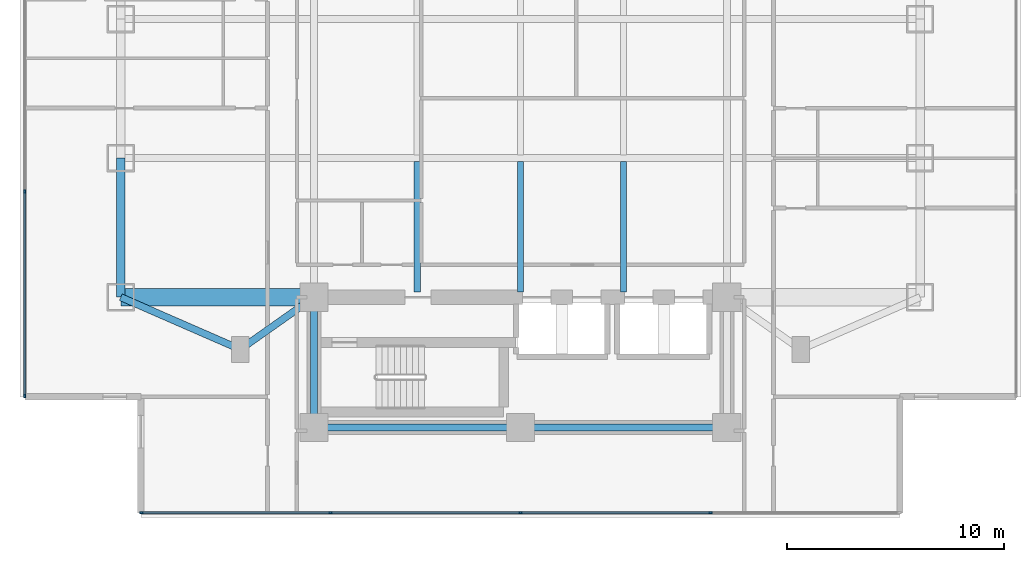
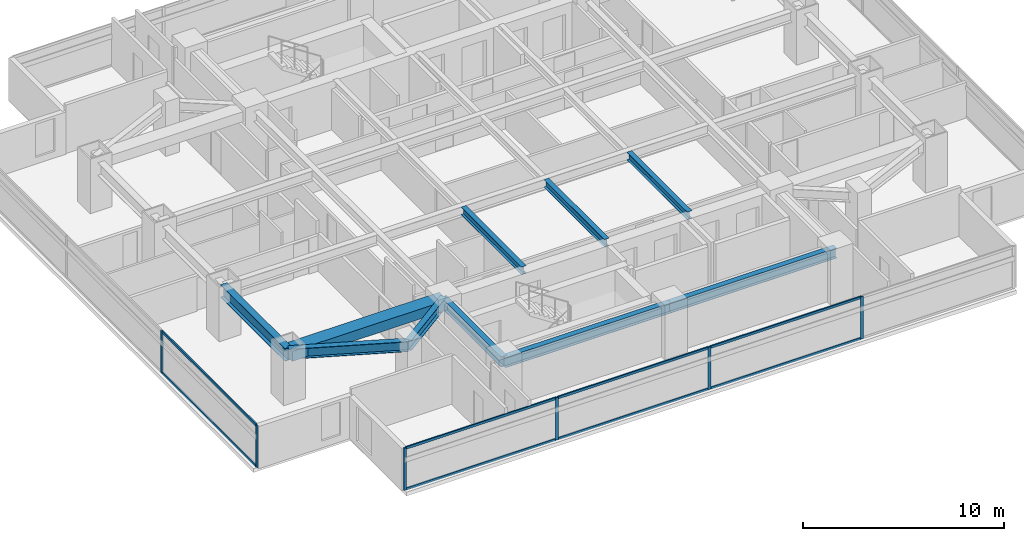
# One storey, part 2 of 26: 14 members, 10 beams, 2 elements without a shape of their own.
"""IFC4 building model written with IfcOpenShell, lengths in metres."""

from ifc_helpers import new_model, si_unit, direction, frame, origin, origin_2d, place, context, subcontext, project, spatial, rectangle, i_section, extrude, material, material_profile, profile_set, type_object, element, aggregate, save


model = new_model("IFC4")

# Units and contexts
model_context = context("Model", 3, precision=1e-05, world=origin(), true_north=direction((0.0, 1.0)))
body_context = subcontext(model_context, "Body", "Model", "MODEL_VIEW")
ifc_project = project(units=[si_unit("LENGTHUNIT", "METRE"), si_unit("AREAUNIT", "SQUARE_METRE"), si_unit("VOLUMEUNIT", "CUBIC_METRE"), si_unit("PLANEANGLEUNIT", "RADIAN"), si_unit("MASSUNIT", "GRAM", prefix="KILO")], contexts=[model_context])

# Site, building, storey
site_placement = place(None, origin())
site = spatial("IfcSite", under=ifc_project, at=site_placement, CompositionType="ELEMENT")
building_placement = place(site_placement, origin())
building = spatial("IfcBuilding", under=site, at=building_placement, Name="Mirazonda Arch Towers", CompositionType="ELEMENT")
storey_placement = place(building_placement, frame((0.0, 0.0, 78.5)))
storey = spatial("IfcBuildingStorey", under=building, at=storey_placement, Name="L22", CompositionType="ELEMENT", Elevation=78.5)

# Beams
ifc_material_1 = material(Name="Steel ASTM A992 Grade 50", Category="steel")
ifc_material_profile_1 = material_profile(ifc_material_1, i_section(OverallWidth=0.381103515625, OverallDepth=0.77294921875, WebThickness=0.0166015625, FlangeThickness=0.027099609375, at=origin_2d()), Name="W30X173")
ifc_profile_set_1 = profile_set([ifc_material_profile_1], Name="Steel ASTM A992 Grade 50")
beam_type_1 = type_object("IfcBeamType", Name="BM-EXT-W30X173", PredefinedType="USERDEFINED", material=ifc_profile_set_1)
beam_1_placement = place(storey_placement, frame((2.10009765625, 18.39990234375, 2.553466796875), z_axis=(0.0, 1.0, 0.0), x_axis=(-1.0, 0.0, 0.0)))
element("IfcBeam", 1, at=beam_1_placement, inside=storey, type_object=beam_type_1, Name="L22 Floor Beam BMT-T1-L22-NS-W-18", ObjectType="GIRDER", PredefinedType="USERDEFINED", context=body_context, shape_type="SweptSolid", body=[
    extrude(i_section(OverallWidth=0.381103515625, OverallDepth=0.77294921875, WebThickness=0.0166015625, FlangeThickness=0.027099609375, at=origin_2d()), origin(), (0.0, 0.0, 1.0), 6.400146484375),
])
ifc_material_profile_2 = material_profile(ifc_material_1, i_section(OverallWidth=0.280029296875, OverallDepth=0.462890625, WebThickness=0.0107421875, FlangeThickness=0.017333984375, at=origin_2d()), Name="W18X76")
ifc_profile_set_2 = profile_set([ifc_material_profile_2], Name="Steel ASTM A992 Grade 50")
beam_type_2 = type_object("IfcBeamType", Name="BM-INT-W18X76", PredefinedType="JOIST", material=ifc_profile_set_2)
for number, where, z_axis, x_axis, name in (
    (2, (15.75, 18.639892578125, 2.70849609375), (0.0, 1.0, 0.0), (-1.0, 0.0, 0.0), "L22 Floor Beam BMT-T1-L22-J-157-18"),
    (3, (20.5, 18.639892578125, 2.70849609375), (0.0, 1.0, 0.0), (-1.0, 0.0, 0.0), "L22 Floor Beam BMT-T1-L22-J-205-18"),
    (4, (25.25, 18.639892578125, 2.70849609375), (0.0, 1.0, 0.0), (-1.0, 0.0, 0.0), "L22 Floor Beam BMT-T1-L22-J-252-18"),
):
    element("IfcBeam", number, at=place(storey_placement, frame(where, z_axis=z_axis, x_axis=x_axis)), inside=storey, type_object=beam_type_2, Name=name, PredefinedType="JOIST", context=body_context, shape_type="SweptSolid", body=[
        extrude(i_section(OverallWidth=0.280029296875, OverallDepth=0.462890625, WebThickness=0.0107421875, FlangeThickness=0.017333984375, at=origin_2d()), origin(), (0.0, 0.0, 1.0), 6.001708984375),
    ])
ifc_material_profile_3 = material_profile(ifc_material_1, i_section(OverallWidth=0.324951171875, OverallDepth=0.615966796875, WebThickness=0.013916015625, FlangeThickness=0.021484375, at=origin_2d()), Name="W24X117")
ifc_profile_set_3 = profile_set([ifc_material_profile_3], Name="Steel ASTM A992 Grade 50")
beam_type_3 = type_object("IfcBeamType", Name="BM-INT-W24X117", PredefinedType="BEAM", material=ifc_profile_set_3)
for number, where, z_axis, x_axis, name in (
    (5, (11.0, 12.39990234375, 2.632080078125), (1.0, 0.0, 0.0), (0.0, 1.0, 0.0), "L22 Floor Beam BMT-T1-L22-CS1"),
    (6, (20.5, 12.39990234375, 2.632080078125), (1.0, 0.0, 0.0), (0.0, 1.0, 0.0), "L22 Floor Beam BMT-T1-L22-CS2"),
):
    element("IfcBeam", number, at=place(storey_placement, frame(where, z_axis=z_axis, x_axis=x_axis)), inside=storey, type_object=beam_type_3, Name=name, PredefinedType="BEAM", context=body_context, shape_type="SweptSolid", body=[
        extrude(i_section(OverallWidth=0.324951171875, OverallDepth=0.615966796875, WebThickness=0.013916015625, FlangeThickness=0.021484375, at=origin_2d()), origin(), (0.0, 0.0, 1.0), 9.5),
    ])
beam_2_placement = place(storey_placement, frame((11.0, 12.39990234375, 2.632080078125), z_axis=(0.0, 1.0, 0.0), x_axis=(-1.0, 0.0, 0.0)))
element("IfcBeam", 7, at=beam_2_placement, inside=storey, type_object=beam_type_3, Name="L22 Floor Beam BMT-T1-L22-CSW", PredefinedType="BEAM", context=body_context, shape_type="SweptSolid", body=[
    extrude(i_section(OverallWidth=0.324951171875, OverallDepth=0.615966796875, WebThickness=0.013916015625, FlangeThickness=0.021484375, at=origin_2d()), origin(), (0.0, 0.0, 1.0), 6.0),
])
beam_3_placement = place(storey_placement, frame((7.60009765625, 16.0, 2.632080078125), z_axis=(0.816971114901, 0.576678591087, 0.0), x_axis=(-0.576678591087, 0.816971114901, 0.0)))
element("IfcBeam", 8, at=beam_3_placement, inside=storey, type_object=beam_type_3, Name="L22 Floor Beam BMT-T1-L22-PL-SW1", PredefinedType="BEAM", context=body_context, shape_type="SweptSolid", body=[
    extrude(i_section(OverallWidth=0.324951171875, OverallDepth=0.615966796875, WebThickness=0.013916015625, FlangeThickness=0.021484375, at=origin_2d()), origin(), (0.0, 0.0, 1.0), 4.16162109375),
])
beam_4_placement = place(storey_placement, frame((7.60009765625, 16.0, 2.632080078125), z_axis=(-0.916545343703, 0.399930785183, 0.0), x_axis=(-0.399930785183, -0.916545343703, 0.0)))
element("IfcBeam", 9, at=beam_4_placement, inside=storey, type_object=beam_type_3, Name="L22 Floor Beam BMT-T1-L22-PL-SW2", PredefinedType="BEAM", context=body_context, shape_type="SweptSolid", body=[
    extrude(i_section(OverallWidth=0.324951171875, OverallDepth=0.615966796875, WebThickness=0.013916015625, FlangeThickness=0.021484375, at=origin_2d()), origin(), (0.0, 0.0, 1.0), 6.000732421875),
])
ifc_material_2 = material(Name="Concrete C60/75", Category="concrete")
ifc_material_profile_4 = material_profile(ifc_material_2, rectangle(XDim=0.800048828125, YDim=0.60009765625, at=origin_2d()), Name="RCCB800x600")
ifc_profile_set_4 = profile_set([ifc_material_profile_4], Name="Concrete C60/75")
beam_type_4 = type_object("IfcBeamType", Name="CB-INT-RCCB800x600", PredefinedType="SPANDREL", material=ifc_profile_set_4)
beam_5_placement = place(storey_placement, frame((2.10009765625, 18.39990234375, 2.639892578125), z_axis=(1.0, 0.0, 0.0), x_axis=(0.0, 1.0, 0.0)))
element("IfcBeam", 10, at=beam_5_placement, inside=storey, type_object=beam_type_4, Name="L22 Floor Beam CBC-T1-L22-SW", PredefinedType="SPANDREL", context=body_context, shape_type="SweptSolid", body=[
    extrude(rectangle(XDim=0.800048828125, YDim=0.60009765625, at=origin_2d()), origin(), (0.0, 0.0, 1.0), 8.89990234375),
])

# Curtain wall, members
ifc_material_3 = material(Name="Anodised Aluminium and Low-E Glass", Category="aluminium")
curtain_wall_type = type_object("IfcCurtainWallType", Name="CW-HTL-UNIT", PredefinedType="NOTDEFINED", material=ifc_material_3)
curtain_wall_1_placement = place(storey_placement, origin())
curtain_wall_1 = element("IfcCurtainWall", 11, at=curtain_wall_1_placement, inside=storey, type_object=curtain_wall_type, Name="L22 T1 S Facade CW-L22-T1-S", PredefinedType="NOTDEFINED")
ifc_material_4 = material(Name="Anodised Aluminium Alloy", Category="aluminium")
ifc_material_profile_5 = material_profile(ifc_material_4, rectangle(XDim=0.074951171875, YDim=0.1650390625, at=origin_2d()), Name="ALU-MULL-75x165")
ifc_profile_set_5 = profile_set([ifc_material_profile_5], Name="Anodised Aluminium Alloy")
member_type_1 = type_object("IfcMemberType", Name="MULL-CW-HTL-UNIT", PredefinedType="MULLION", material=ifc_profile_set_5)
member_1_placement = place(storey_placement, frame((29.239990234375, 8.47607421875, 0.0), z_axis=(0.0, 0.0, 1.0), x_axis=(0.0, -1.0, 0.0)))
member_1 = element("IfcMember", 12, at=member_1_placement, type_object=member_type_1, Name="CW-112 mullion 2", PredefinedType="MULLION", context=body_context, shape_type="SweptSolid", body=[
    extrude(rectangle(XDim=0.074951171875, YDim=0.1650390625, at=origin_2d()), origin(), (0.0, 0.0, 1.0), 2.56005859375),
])
member_2_placement = place(storey_placement, frame((20.5, 8.47607421875, 0.0), z_axis=(0.0, 0.0, 1.0), x_axis=(0.0, -1.0, 0.0)))
member_2 = element("IfcMember", 13, at=member_2_placement, type_object=member_type_1, Name="CW-112 mullion 3", PredefinedType="MULLION", context=body_context, shape_type="SweptSolid", body=[
    extrude(rectangle(XDim=0.074951171875, YDim=0.1650390625, at=origin_2d()), origin(), (0.0, 0.0, 1.0), 2.56005859375),
])
member_3_placement = place(storey_placement, frame((11.760009765625, 8.47607421875, 0.0), z_axis=(0.0, 0.0, 1.0), x_axis=(0.0, -1.0, 0.0)))
member_3 = element("IfcMember", 14, at=member_3_placement, type_object=member_type_1, Name="CW-112 mullion 4", PredefinedType="MULLION", context=body_context, shape_type="SweptSolid", body=[
    extrude(rectangle(XDim=0.074951171875, YDim=0.1650390625, at=origin_2d()), origin(), (0.0, 0.0, 1.0), 2.56005859375),
])
member_4_placement = place(storey_placement, frame((3.0576171875, 8.47607421875, 0.0), z_axis=(0.0, 0.0, 1.0), x_axis=(0.0, -1.0, 0.0)))
member_4 = element("IfcMember", 15, at=member_4_placement, type_object=member_type_1, Name="CW-112 mullion 5", PredefinedType="MULLION", context=body_context, shape_type="SweptSolid", body=[
    extrude(rectangle(XDim=0.074951171875, YDim=0.1650390625, at=origin_2d()), origin(), (0.0, 0.0, 1.0), 2.56005859375),
])

curtain_wall_2_placement = place(storey_placement, origin())
curtain_wall_2 = element("IfcCurtainWall", 16, at=curtain_wall_2_placement, inside=storey, type_object=curtain_wall_type, Name="L22 T1 W Facade CW-L22-T1-W", PredefinedType="NOTDEFINED")
member_5_placement = place(storey_placement, frame((-2.320068359375, 23.27197265625, 0.0), z_axis=(0.0, 0.0, 1.0), x_axis=(1.0, 0.0, 0.0)))
member_5 = element("IfcMember", 17, at=member_5_placement, type_object=member_type_1, Name="CW-112 mullion 3", PredefinedType="MULLION", context=body_context, shape_type="SweptSolid", body=[
    extrude(rectangle(XDim=0.074951171875, YDim=0.1650390625, at=origin_2d()), origin(), (0.0, 0.0, 1.0), 2.56005859375),
])
member_6_placement = place(storey_placement, frame((-2.320068359375, 13.853515625, 0.0), z_axis=(0.0, 0.0, 1.0), x_axis=(1.0, 0.0, 0.0)))
member_6 = element("IfcMember", 18, at=member_6_placement, type_object=member_type_1, Name="CW-112 mullion 4", PredefinedType="MULLION", context=body_context, shape_type="SweptSolid", body=[
    extrude(rectangle(XDim=0.074951171875, YDim=0.1650390625, at=origin_2d()), origin(), (0.0, 0.0, 1.0), 2.56005859375),
])

# Member
ifc_material_profile_6 = material_profile(ifc_material_4, rectangle(XDim=0.074951171875, YDim=0.14501953125, at=origin_2d()), Name="ALU-TRAN-75x145")
ifc_profile_set_6 = profile_set([ifc_material_profile_6], Name="Anodised Aluminium Alloy")
member_type_2 = type_object("IfcMemberType", Name="TRAN-CW-HTL-UNIT", PredefinedType="USERDEFINED", material=ifc_profile_set_6)
member_7_placement = place(storey_placement, frame((29.202392578125, 8.47607421875, 0.03759765625), z_axis=(-1.0, 0.0, 0.0), x_axis=(0.0, -1.0, 0.0)))
member_7 = element("IfcMember", 19, at=member_7_placement, type_object=member_type_2, Name="CW-112 transom 2.1", ObjectType="TRANSOM", PredefinedType="USERDEFINED", context=body_context, shape_type="SweptSolid", body=[
    extrude(rectangle(XDim=0.074951171875, YDim=0.14501953125, at=origin_2d()), origin(), (0.0, 0.0, 1.0), 8.664794921875),
])

member_8_placement = place(storey_placement, frame((29.202392578125, 8.47607421875, 2.5224609375), z_axis=(-1.0, 0.0, 0.0), x_axis=(0.0, -1.0, 0.0)))
member_8 = element("IfcMember", 20, at=member_8_placement, type_object=member_type_2, Name="CW-112 transom 2.2", ObjectType="TRANSOM", PredefinedType="USERDEFINED", context=body_context, shape_type="SweptSolid", body=[
    extrude(rectangle(XDim=0.074951171875, YDim=0.14501953125, at=origin_2d()), origin(), (0.0, 0.0, 1.0), 8.664794921875),
])

member_9_placement = place(storey_placement, frame((20.46240234375, 8.47607421875, 0.03759765625), z_axis=(-1.0, 0.0, 0.0), x_axis=(0.0, -1.0, 0.0)))
member_9 = element("IfcMember", 21, at=member_9_placement, type_object=member_type_2, Name="CW-112 transom 3.1", ObjectType="TRANSOM", PredefinedType="USERDEFINED", context=body_context, shape_type="SweptSolid", body=[
    extrude(rectangle(XDim=0.074951171875, YDim=0.14501953125, at=origin_2d()), origin(), (0.0, 0.0, 1.0), 8.664794921875),
])

member_10_placement = place(storey_placement, frame((20.46240234375, 8.47607421875, 2.5224609375), z_axis=(-1.0, 0.0, 0.0), x_axis=(0.0, -1.0, 0.0)))
member_10 = element("IfcMember", 22, at=member_10_placement, type_object=member_type_2, Name="CW-112 transom 3.2", ObjectType="TRANSOM", PredefinedType="USERDEFINED", context=body_context, shape_type="SweptSolid", body=[
    extrude(rectangle(XDim=0.074951171875, YDim=0.14501953125, at=origin_2d()), origin(), (0.0, 0.0, 1.0), 8.664794921875),
])

member_11_placement = place(storey_placement, frame((11.722412109375, 8.47607421875, 0.03759765625), z_axis=(-1.0, 0.0, 0.0), x_axis=(0.0, -1.0, 0.0)))
member_11 = element("IfcMember", 23, at=member_11_placement, type_object=member_type_2, Name="CW-112 transom 4.1", ObjectType="TRANSOM", PredefinedType="USERDEFINED", context=body_context, shape_type="SweptSolid", body=[
    extrude(rectangle(XDim=0.074951171875, YDim=0.14501953125, at=origin_2d()), origin(), (0.0, 0.0, 1.0), 8.62744140625),
])

member_12_placement = place(storey_placement, frame((11.722412109375, 8.47607421875, 2.5224609375), z_axis=(-1.0, 0.0, 0.0), x_axis=(0.0, -1.0, 0.0)))
member_12 = element("IfcMember", 24, at=member_12_placement, type_object=member_type_2, Name="CW-112 transom 4.2", ObjectType="TRANSOM", PredefinedType="USERDEFINED", context=body_context, shape_type="SweptSolid", body=[
    extrude(rectangle(XDim=0.074951171875, YDim=0.14501953125, at=origin_2d()), origin(), (0.0, 0.0, 1.0), 8.62744140625),
])

aggregate(curtain_wall_1, [member_1, member_2, member_3, member_4, member_7, member_8, member_9, member_10, member_11, member_12])

member_13_placement = place(storey_placement, frame((-2.320068359375, 23.234619140625, 0.03759765625), z_axis=(0.0, -1.0, 0.0), x_axis=(1.0, 0.0, 0.0)))
member_13 = element("IfcMember", 25, at=member_13_placement, type_object=member_type_2, Name="CW-112 transom 3.1", ObjectType="TRANSOM", PredefinedType="USERDEFINED", context=body_context, shape_type="SweptSolid", body=[
    extrude(rectangle(XDim=0.074951171875, YDim=0.14501953125, at=origin_2d()), origin(), (0.0, 0.0, 1.0), 9.343505859375),
])

member_14_placement = place(storey_placement, frame((-2.320068359375, 23.234619140625, 2.5224609375), z_axis=(0.0, -1.0, 0.0), x_axis=(1.0, 0.0, 0.0)))
member_14 = element("IfcMember", 26, at=member_14_placement, type_object=member_type_2, Name="CW-112 transom 3.2", ObjectType="TRANSOM", PredefinedType="USERDEFINED", context=body_context, shape_type="SweptSolid", body=[
    extrude(rectangle(XDim=0.074951171875, YDim=0.14501953125, at=origin_2d()), origin(), (0.0, 0.0, 1.0), 9.343505859375),
])

aggregate(curtain_wall_2, [member_5, member_6, member_13, member_14])

save(model, "model.ifc")
